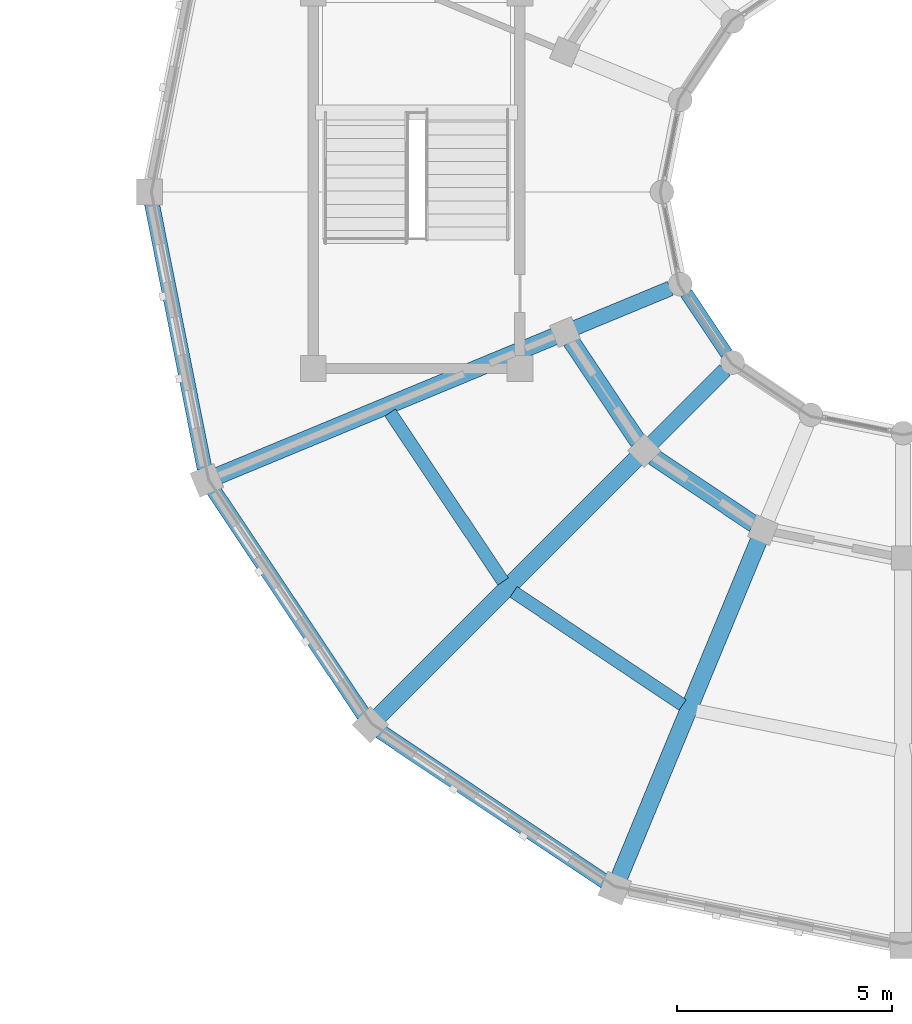
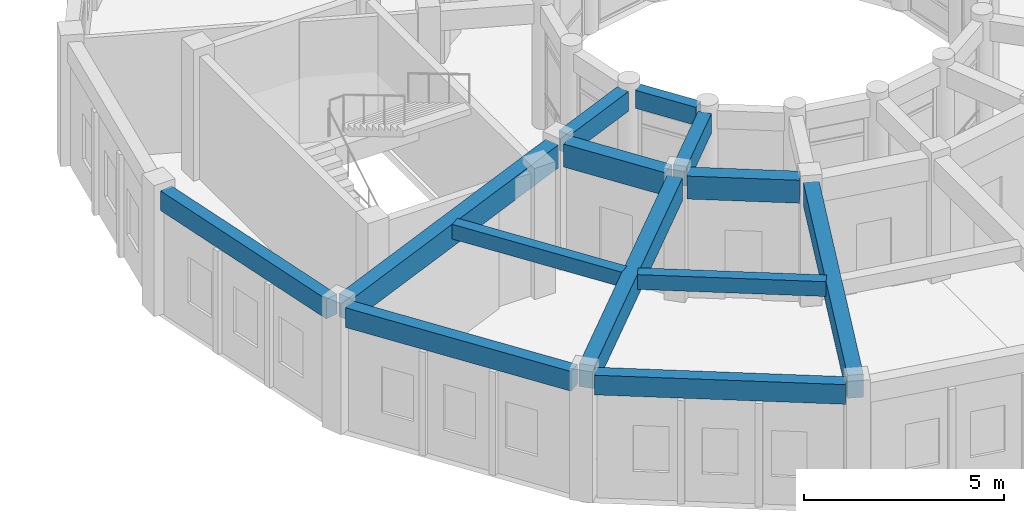
# One storey, part 8 of 159: 13 beams.
"""IFC4 building model written with IfcOpenShell, lengths in metres."""

import ifcopenshell
import ifcopenshell.guid

model = None  # the IFC model being written
_history = None  # IfcOwnerHistory: only IFC2X3 demands one
_inside = {}  # id of a spatial element -> (the spatial element, [elements in it])
_under = {}  # id of a project, library or spatial element -> (it, [spatial elements below it])
_declared = {}  # id of a project -> (the project, [libraries it declares])
_typed = {}  # id of a type object -> (the type object, [elements of that type])
_made_of = {}  # id of a material, layer set ... -> (it, [elements and type objects made of it])


def new_model(schema):
    """Start an empty IFC model of exactly this schema.

    Asked for "IFC4X3", IfcOpenShell would pick the latest addendum, in which some entities
    have other attributes; the version numbers below select the first issue.
    IFC2X3 requires an IfcOwnerHistory on every rooted entity: one is made here for all.
    """
    global model, _history
    if schema == "IFC4X3":
        model = ifcopenshell.file(schema_version=(4, 3, 0, 0))
    else:
        model = ifcopenshell.file(schema=schema)
    _inside.clear()
    _under.clear()
    _declared.clear()
    _typed.clear()
    _made_of.clear()
    _history = None
    if model.schema == "IFC2X3":
        org = make("IfcOrganization", Name="unknown")
        user = make(
            "IfcPersonAndOrganization",
            ThePerson=make("IfcPerson", FamilyName="unknown"),
            TheOrganization=org,
        )
        app = make(
            "IfcApplication",
            ApplicationDeveloper=org,
            Version="unknown",
            ApplicationFullName="unknown",
            ApplicationIdentifier="unknown",
        )
        _history = make(
            "IfcOwnerHistory",
            OwningUser=user,
            OwningApplication=app,
            ChangeAction="ADDED",
            CreationDate=0,
        )
    return model


def make(cls, **values):
    """One entity of the class cls with the attributes given. An attribute that is None is left unset."""
    return model.create_entity(
        cls, **{name: value for name, value in values.items() if value is not None}
    )


def rooted(cls, **values):
    """An entity with a GlobalId (a new one), such as an element, a storey or a relation."""
    return make(cls, GlobalId=ifcopenshell.guid.new(), OwnerHistory=_history, **values)


def si_unit(unit_type, name, prefix=None):
    """IfcSIUnit, for example si_unit("LENGTHUNIT", "METRE", prefix="MILLI")."""
    return make("IfcSIUnit", UnitType=unit_type, Prefix=prefix, Name=name)


def assignment(units):
    """IfcUnitAssignment: the units of a project."""
    return None if units is None else make("IfcUnitAssignment", Units=units)


def point(xyz):
    """IfcCartesianPoint."""
    return None if xyz is None else make("IfcCartesianPoint", Coordinates=xyz)


def direction(xyz):
    """IfcDirection."""
    return None if xyz is None else make("IfcDirection", DirectionRatios=xyz)


def frame(location, z_axis=None, x_axis=None):
    """IfcAxis2Placement3D, a coordinate frame: its origin and axes. An axis left out is left unset."""
    return make(
        "IfcAxis2Placement3D",
        Location=point(location),
        Axis=direction(z_axis),
        RefDirection=direction(x_axis),
    )


def frame_2d(location, x_axis=None):
    """IfcAxis2Placement2D, a coordinate frame in the plane: its origin and x axis."""
    return make(
        "IfcAxis2Placement2D", Location=point(location), RefDirection=direction(x_axis)
    )


def origin():
    """The frame at (0, 0, 0) with its axes left unset."""
    return frame((0.0, 0.0, 0.0))


def origin_2d():
    """The frame at (0, 0) in the plane with its x axis left unset."""
    return frame_2d((0.0, 0.0))


def place(relative_to, where):
    """IfcLocalPlacement: puts the frame where relative to a parent placement (None: the world)."""
    return make(
        "IfcLocalPlacement", PlacementRelTo=relative_to, RelativePlacement=where
    )


def context(
    kind, dimensions, precision=None, world=None, true_north=None, identifier=None
):
    """IfcGeometricRepresentationContext, for example the 3D "Model" context."""
    return make(
        "IfcGeometricRepresentationContext",
        ContextIdentifier=identifier,
        ContextType=kind,
        CoordinateSpaceDimension=dimensions,
        Precision=precision,
        WorldCoordinateSystem=world,
        TrueNorth=true_north,
    )


def subcontext(parent, identifier, kind, view, scale=None):
    """IfcGeometricRepresentationSubContext, for example "Body" below "Model"."""
    return make(
        "IfcGeometricRepresentationSubContext",
        ContextIdentifier=identifier,
        ContextType=kind,
        ParentContext=parent,
        TargetScale=scale,
        TargetView=view,
    )


def project(units=None, contexts=None):
    """IfcProject with its units and contexts."""
    return rooted(
        "IfcProject",
        Name="project",
        RepresentationContexts=contexts,
        UnitsInContext=assignment(units),
    )


def spatial(cls, under=None, at=None, **own):
    """A site, building, storey or space (cls), placed at a placement, below another one or the project."""
    s = rooted(cls, ObjectPlacement=at, **own)
    if under is not None:
        _under.setdefault(under.id(), (under, []))[1].append(s)
    return s


def profile(cls, at=None, kind="AREA", **sizes):
    """A parametric profile (cls). Its sizes go by their IFC names, for example OverallWidth=200.0."""
    return make(cls, ProfileType=kind, Position=at, **sizes)


def rectangle(**sizes):
    """IfcRectangleProfileDef."""
    return profile("IfcRectangleProfileDef", **sizes)


def extrude(swept, where, along, depth):
    """IfcExtrudedAreaSolid: the profile swept, set in the frame where, extruded along a direction by depth."""
    return make(
        "IfcExtrudedAreaSolid",
        SweptArea=swept,
        Position=where,
        ExtrudedDirection=direction(along),
        Depth=depth,
    )


def shape(context_of_items, identifier, shape_type, items):
    """IfcShapeRepresentation: the items that make up one representation, for example the "Body"."""
    return make(
        "IfcShapeRepresentation",
        ContextOfItems=context_of_items,
        RepresentationIdentifier=identifier,
        RepresentationType=shape_type,
        Items=items,
    )


def material(Name=None, Category=None):
    """IfcMaterial."""
    return make("IfcMaterial", Name=Name, Category=Category)


def material_profile(
    of_material, cross_section, Name=None, Category=None, Priority=None
):
    """IfcMaterialProfile: a cross section and its material."""
    return make(
        "IfcMaterialProfile",
        Name=Name,
        Material=of_material,
        Profile=cross_section,
        Priority=Priority,
        Category=Category,
    )


def profile_set(profiles, Name=None, composite=None):
    """IfcMaterialProfileSet."""
    return make(
        "IfcMaterialProfileSet",
        Name=Name,
        MaterialProfiles=profiles,
        CompositeProfile=composite,
    )


def made_of(thing, what):
    """Note that an element or type object is made of a material, layer set ...; save() writes the relation."""
    if what is not None:
        _made_of.setdefault(what.id(), (what, []))[1].append(thing)
    return thing


def type_object(cls, material=None, **own):
    """A type object (cls), such as IfcWallType, which elements share."""
    return made_of(rooted(cls, **own), material)


def element(
    cls,
    number,
    at=None,
    inside=None,
    cuts=None,
    type_object=None,
    material=None,
    context=None,
    identifier="Body",
    shape_type=None,
    held_by="IfcProductDefinitionShape",
    body=None,
    shapes=None,
    **own,
):
    """One element of the class cls, such as IfcWall. Its Tag is "e" and its number.

    at: its placement. inside: the storey or other place that contains it. cuts: it is an
    opening in that element (IfcRelVoidsElement). A single representation is given by context,
    identifier, shape_type and body (its items); several are given by shapes. held_by: the class
    of the entity that holds the representations. save() writes the other relations.
    """
    e = rooted(cls, Tag="e%d" % number, ObjectPlacement=at, **own)
    if body is not None:
        shapes = [shape(context, identifier, shape_type, body)]
    if shapes is not None:
        e.Representation = make(held_by, Representations=shapes)
    if inside is not None:
        _inside.setdefault(inside.id(), (inside, []))[1].append(e)
    if cuts is not None:
        rooted(
            "IfcRelVoidsElement", RelatingBuildingElement=cuts, RelatedOpeningElement=e
        )
    if type_object is not None:
        _typed.setdefault(type_object.id(), (type_object, []))[1].append(e)
    return made_of(e, material)


def aggregate(whole, parts):
    """IfcRelAggregates: a whole, such as a stair, and the parts it consists of."""
    return rooted("IfcRelAggregates", RelatingObject=whole, RelatedObjects=parts)


def save(model, path):
    """Write the relations noted so far, then the file.

    IfcRelAggregates (storeys below a building ...), IfcRelContainedInSpatialStructure (elements
    in a storey), IfcRelDefinesByType, IfcRelAssociatesMaterial and IfcRelDeclares: one each for
    every whole, place, type object, material and project.
    """
    for whole, parts in _under.values():
        aggregate(whole, parts)
    for where, things in _inside.values():
        rooted(
            "IfcRelContainedInSpatialStructure",
            RelatedElements=things,
            RelatingStructure=where,
        )
    for kind, things in _typed.values():
        rooted("IfcRelDefinesByType", RelatedObjects=things, RelatingType=kind)
    for what, things in _made_of.values():
        rooted("IfcRelAssociatesMaterial", RelatedObjects=things, RelatingMaterial=what)
    for by, libraries in _declared.values():
        rooted("IfcRelDeclares", RelatingContext=by, RelatedDefinitions=libraries)
    model.write(path)


model = new_model("IFC4")

# Units and contexts
model_context = context("Model", 3, precision=1e-05, world=origin(), true_north=direction((0.0, 1.0)))
body_context = subcontext(model_context, "Body", "Model", "MODEL_VIEW")
ifc_project = project(units=[si_unit("LENGTHUNIT", "METRE"), si_unit("AREAUNIT", "SQUARE_METRE"), si_unit("VOLUMEUNIT", "CUBIC_METRE"), si_unit("PLANEANGLEUNIT", "RADIAN"), si_unit("MASSUNIT", "GRAM", prefix="KILO")], contexts=[model_context])

# Site, building, storey
site_placement = place(None, origin())
site = spatial("IfcSite", under=ifc_project, at=site_placement, CompositionType="ELEMENT")
building_placement = place(site_placement, origin())
building = spatial("IfcBuilding", under=site, at=building_placement, Name="Celadon Cloister-Ring School", CompositionType="ELEMENT")
storey_placement = place(building_placement, frame((0.0, 0.0, 4.5)))
storey = spatial("IfcBuildingStorey", under=building, at=storey_placement, Name="L01", CompositionType="ELEMENT", Elevation=4.5)

# Beams
ifc_material_1 = material(Name="Concrete C35/45", Category="concrete")
ifc_material_profile_1 = material_profile(ifc_material_1, rectangle(XDim=0.35009765625, YDim=0.60009765625, at=origin_2d()), Name="RC350X600")
ifc_profile_set_1 = profile_set([ifc_material_profile_1], Name="Concrete C35/45")
beam_type_1 = type_object("IfcBeamType", Name="BT-02", PredefinedType="BEAM", material=ifc_profile_set_1)
beam_1_placement = place(storey_placement, frame((12.577880859375, 16.843017578125, 3.47998046875), z_axis=(0.923932522988, 0.382555476978, 0.0), x_axis=(-0.382555476978, 0.923932522988, 0.0)))
element("IfcBeam", 1, at=beam_1_placement, inside=storey, type_object=beam_type_1, Name="Beam 0935", PredefinedType="BEAM", context=body_context, shape_type="SweptSolid", body=[
    extrude(rectangle(XDim=0.35009765625, YDim=0.60009765625, at=origin_2d()), origin(), (0.0, 0.0, 1.0), 2.399658203125),
])
beam_2_placement = place(storey_placement, frame((14.366943359375, 14.1669921875, 3.47998046875), z_axis=(0.707106781187, 0.707106781187, 0.0), x_axis=(-0.707106781187, 0.707106781187, 0.0)))
element("IfcBeam", 2, at=beam_2_placement, inside=storey, type_object=beam_type_1, Name="Beam 0937", PredefinedType="BEAM", context=body_context, shape_type="SweptSolid", body=[
    extrude(rectangle(XDim=0.35009765625, YDim=0.60009765625, at=origin_2d()), origin(), (0.0, 0.0, 1.0), 2.398681640625),
])
ifc_material_2 = material(Name="Concrete C35/45", Category="concrete")
ifc_material_profile_2 = material_profile(ifc_material_2, rectangle(XDim=0.39990234375, YDim=0.699951171875, at=origin_2d()), Name="RC400X700")
ifc_profile_set_2 = profile_set([ifc_material_profile_2], Name="Concrete C35/45")
beam_type_2 = type_object("IfcBeamType", Name="GT-03", PredefinedType="USERDEFINED", material=ifc_profile_set_2)
beam_3_placement = place(storey_placement, frame((4.285888671875, 13.407958984375, 3.429931640625), z_axis=(0.923896411609, 0.382642680076, 0.0), x_axis=(-0.382642680076, 0.923896411609, 0.0)))
element("IfcBeam", 3, at=beam_3_placement, inside=storey, type_object=beam_type_2, Name="Beam 0934", ObjectType="GIRDER", PredefinedType="USERDEFINED", context=body_context, shape_type="SweptSolid", body=[
    extrude(rectangle(XDim=0.39990234375, YDim=0.699951171875, at=origin_2d()), origin(), (0.0, 0.0, 1.0), 8.47509765625),
])
beam_4_placement = place(storey_placement, frame((8.02001953125, 7.820068359375, 3.429931640625), z_axis=(0.707106781187, 0.707106781187, 0.0), x_axis=(-0.707106781187, 0.707106781187, 0.0)))
element("IfcBeam", 4, at=beam_4_placement, inside=storey, type_object=beam_type_2, Name="Beam 0936", ObjectType="GIRDER", PredefinedType="USERDEFINED", context=body_context, shape_type="SweptSolid", body=[
    extrude(rectangle(XDim=0.39990234375, YDim=0.699951171875, at=origin_2d()), origin(), (0.0, 0.0, 1.0), 8.475341796875),
])
beam_5_placement = place(storey_placement, frame((13.60791015625, 4.0859375, 3.429931640625), z_axis=(0.382667268836, 0.923886227499, 0.0), x_axis=(-0.923886227499, 0.382667268836, 0.0)))
element("IfcBeam", 5, at=beam_5_placement, inside=storey, type_object=beam_type_2, Name="Beam 0938", ObjectType="GIRDER", PredefinedType="USERDEFINED", context=body_context, shape_type="SweptSolid", body=[
    extrude(rectangle(XDim=0.39990234375, YDim=0.699951171875, at=origin_2d()), origin(), (0.0, 0.0, 1.0), 8.47509765625),
])
beam_6_placement = place(storey_placement, frame((12.486083984375, 16.5390625, 3.429931640625), z_axis=(0.555740149771, -0.831356052442, 0.0), x_axis=(0.831356052442, 0.555740149771, 0.0)))
element("IfcBeam", 6, at=beam_6_placement, inside=storey, type_object=beam_type_2, Name="Beam 0973", ObjectType="GIRDER", PredefinedType="USERDEFINED", context=body_context, shape_type="SweptSolid", body=[
    extrude(rectangle(XDim=0.39990234375, YDim=0.699951171875, at=origin_2d()), origin(), (0.0, 0.0, 1.0), 2.81591796875),
])
beam_7_placement = place(storey_placement, frame((14.39794921875, 13.85107421875, 3.429931640625), z_axis=(0.831315995752, -0.555800067657, 0.0), x_axis=(0.555800067657, 0.831315995752, 0.0)))
element("IfcBeam", 7, at=beam_7_placement, inside=storey, type_object=beam_type_2, Name="Beam 0977", ObjectType="GIRDER", PredefinedType="USERDEFINED", context=body_context, shape_type="SweptSolid", body=[
    extrude(rectangle(XDim=0.39990234375, YDim=0.699951171875, at=origin_2d()), origin(), (0.0, 0.0, 1.0), 2.816162109375),
])
ifc_material_3 = material(Name="Concrete C35/45", Category="concrete")
ifc_material_profile_3 = material_profile(ifc_material_3, rectangle(XDim=0.300048828125, YDim=0.449951171875, at=origin_2d()), Name="RC300X450")
ifc_profile_set_3 = profile_set([ifc_material_profile_3], Name="Concrete C35/45")
beam_type_3 = type_object("IfcBeamType", Name="JT-01", PredefinedType="JOIST", material=ifc_profile_set_3)
beam_8_placement = place(storey_placement, frame((8.287109375, 14.87890625, 3.554931640625), z_axis=(0.555761854047, -0.831341543282, 0.0), x_axis=(0.831341543282, 0.555761854047, 0.0)))
element("IfcBeam", 8, at=beam_8_placement, inside=storey, type_object=beam_type_3, Name="Beam 0975", PredefinedType="JOIST", context=body_context, shape_type="SweptSolid", body=[
    extrude(rectangle(XDim=0.300048828125, YDim=0.449951171875, at=origin_2d()), origin(), (0.0, 0.0, 1.0), 4.720947265625),
])
beam_9_placement = place(storey_placement, frame((11.154052734375, 10.7109375, 3.554931640625), z_axis=(0.831333623542, -0.55577370068, 0.0), x_axis=(0.55577370068, 0.831333623542, 0.0)))
element("IfcBeam", 9, at=beam_9_placement, inside=storey, type_object=beam_type_3, Name="Beam 0979", PredefinedType="JOIST", context=body_context, shape_type="SweptSolid", body=[
    extrude(rectangle(XDim=0.300048828125, YDim=0.449951171875, at=origin_2d()), origin(), (0.0, 0.0, 1.0), 4.721435546875),
])
ifc_material_4 = material(Name="Concrete C35/45", Category="concrete")
ifc_material_profile_4 = material_profile(ifc_material_4, rectangle(XDim=0.35009765625, YDim=0.60009765625, at=origin_2d()), Name="RC350X600")
ifc_profile_set_4 = profile_set([ifc_material_profile_4], Name="Concrete C35/45")
beam_type_4 = type_object("IfcBeamType", Name="SP-01", PredefinedType="SPANDREL", material=ifc_profile_set_4)
beam_10_placement = place(storey_placement, frame((2.75390625, 19.72998046875, 3.47998046875), z_axis=(0.195001619501, -0.980802920261, 0.0), x_axis=(0.980802920261, 0.195001619501, 0.0)))
element("IfcBeam", 10, at=beam_10_placement, inside=storey, type_object=beam_type_4, Name="Beam 0970", PredefinedType="SPANDREL", context=body_context, shape_type="SweptSolid", body=[
    extrude(rectangle(XDim=0.35009765625, YDim=0.60009765625, at=origin_2d()), origin(), (0.0, 0.0, 1.0), 6.277587890625),
])
beam_11_placement = place(storey_placement, frame((4.18505859375, 13.073974609375, 3.47998046875), z_axis=(0.555660177561, -0.831409506244, 0.0), x_axis=(0.831409506244, 0.555660177561, 0.0)))
element("IfcBeam", 11, at=beam_11_placement, inside=storey, type_object=beam_type_4, Name="Beam 0972", PredefinedType="SPANDREL", context=body_context, shape_type="SweptSolid", body=[
    extrude(rectangle(XDim=0.35009765625, YDim=0.60009765625, at=origin_2d()), origin(), (0.0, 0.0, 1.0), 6.27734375),
])
beam_12_placement = place(storey_placement, frame((8.054931640625, 7.472900390625, 3.47998046875), z_axis=(0.831427473898, -0.555633292422, 0.0), x_axis=(0.555633292422, 0.831427473898, 0.0)))
element("IfcBeam", 12, at=beam_12_placement, inside=storey, type_object=beam_type_4, Name="Beam 0976", PredefinedType="SPANDREL", context=body_context, shape_type="SweptSolid", body=[
    extrude(rectangle(XDim=0.35009765625, YDim=0.60009765625, at=origin_2d()), origin(), (0.0, 0.0, 1.0), 6.277099609375),
])
ifc_material_5 = material(Name="Concrete C35/45", Category="concrete")
ifc_material_profile_5 = material_profile(ifc_material_5, rectangle(XDim=0.300048828125, YDim=0.550048828125, at=origin_2d()), Name="RC300X550")
ifc_profile_set_5 = profile_set([ifc_material_profile_5], Name="Concrete C35/45")
beam_type_5 = type_object("IfcBeamType", Name="SP-02", PredefinedType="SPANDREL", material=ifc_profile_set_5)
beam_13_placement = place(storey_placement, frame((15.1650390625, 17.64892578125, 3.5048828125), z_axis=(0.555569328961, -0.831470216374, 0.0), x_axis=(0.831470216374, 0.555569328961, 0.0)))
element("IfcBeam", 13, at=beam_13_placement, inside=storey, type_object=beam_type_5, Name="Beam 0974", PredefinedType="SPANDREL", context=body_context, shape_type="SweptSolid", body=[
    extrude(rectangle(XDim=0.300048828125, YDim=0.550048828125, at=origin_2d()), origin(), (0.0, 0.0, 1.0), 1.684814453125),
])

save(model, "model.ifc")
